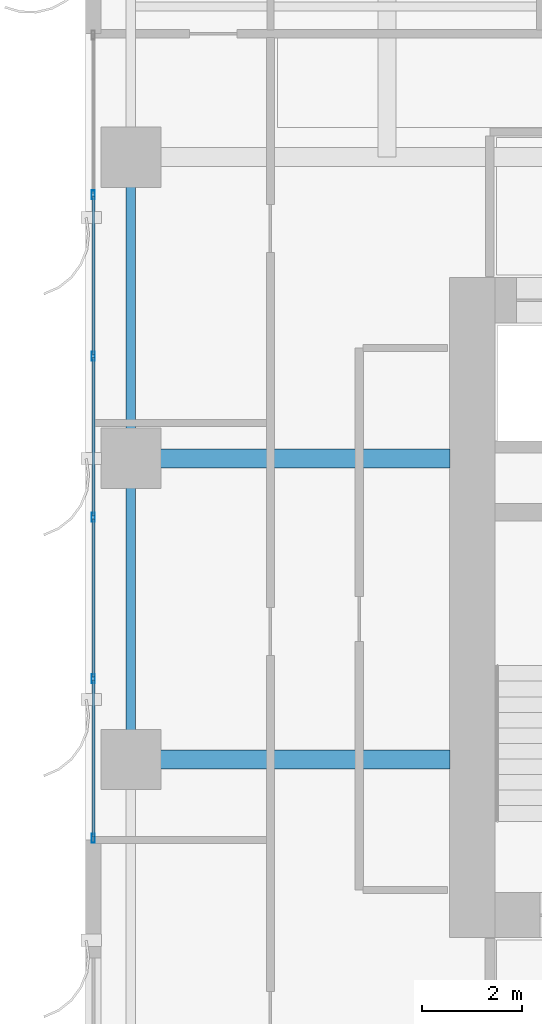
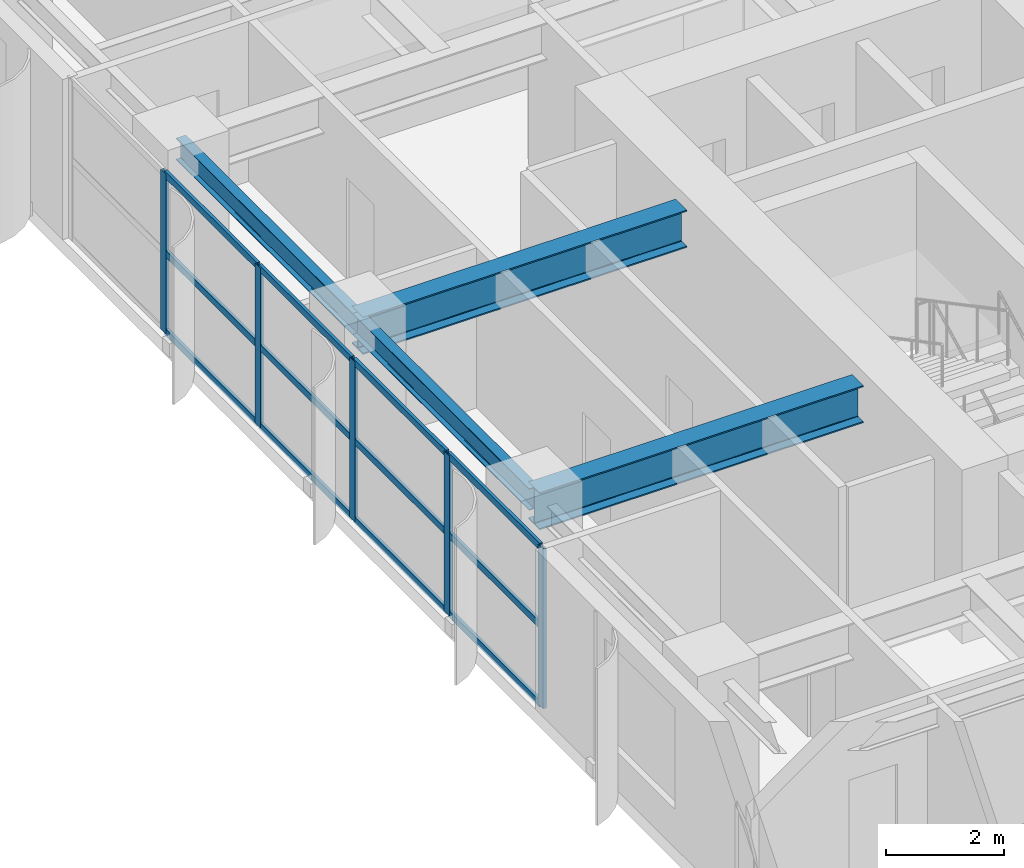
# One storey, part 2 of 18: 17 members, 4 beams, 1 element without a shape of its own.
"""IFC4 building model written with IfcOpenShell, lengths in metres."""

import ifcopenshell
import ifcopenshell.guid

model = None  # the IFC model being written
_history = None  # IfcOwnerHistory: only IFC2X3 demands one
_inside = {}  # id of a spatial element -> (the spatial element, [elements in it])
_under = {}  # id of a project, library or spatial element -> (it, [spatial elements below it])
_declared = {}  # id of a project -> (the project, [libraries it declares])
_typed = {}  # id of a type object -> (the type object, [elements of that type])
_made_of = {}  # id of a material, layer set ... -> (it, [elements and type objects made of it])


def new_model(schema):
    """Start an empty IFC model of exactly this schema.

    Asked for "IFC4X3", IfcOpenShell would pick the latest addendum, in which some entities
    have other attributes; the version numbers below select the first issue.
    IFC2X3 requires an IfcOwnerHistory on every rooted entity: one is made here for all.
    """
    global model, _history
    if schema == "IFC4X3":
        model = ifcopenshell.file(schema_version=(4, 3, 0, 0))
    else:
        model = ifcopenshell.file(schema=schema)
    _inside.clear()
    _under.clear()
    _declared.clear()
    _typed.clear()
    _made_of.clear()
    _history = None
    if model.schema == "IFC2X3":
        org = make("IfcOrganization", Name="unknown")
        user = make(
            "IfcPersonAndOrganization",
            ThePerson=make("IfcPerson", FamilyName="unknown"),
            TheOrganization=org,
        )
        app = make(
            "IfcApplication",
            ApplicationDeveloper=org,
            Version="unknown",
            ApplicationFullName="unknown",
            ApplicationIdentifier="unknown",
        )
        _history = make(
            "IfcOwnerHistory",
            OwningUser=user,
            OwningApplication=app,
            ChangeAction="ADDED",
            CreationDate=0,
        )
    return model


def make(cls, **values):
    """One entity of the class cls with the attributes given. An attribute that is None is left unset."""
    return model.create_entity(
        cls, **{name: value for name, value in values.items() if value is not None}
    )


def rooted(cls, **values):
    """An entity with a GlobalId (a new one), such as an element, a storey or a relation."""
    return make(cls, GlobalId=ifcopenshell.guid.new(), OwnerHistory=_history, **values)


def si_unit(unit_type, name, prefix=None):
    """IfcSIUnit, for example si_unit("LENGTHUNIT", "METRE", prefix="MILLI")."""
    return make("IfcSIUnit", UnitType=unit_type, Prefix=prefix, Name=name)


def assignment(units):
    """IfcUnitAssignment: the units of a project."""
    return None if units is None else make("IfcUnitAssignment", Units=units)


def point(xyz):
    """IfcCartesianPoint."""
    return None if xyz is None else make("IfcCartesianPoint", Coordinates=xyz)


def direction(xyz):
    """IfcDirection."""
    return None if xyz is None else make("IfcDirection", DirectionRatios=xyz)


def frame(location, z_axis=None, x_axis=None):
    """IfcAxis2Placement3D, a coordinate frame: its origin and axes. An axis left out is left unset."""
    return make(
        "IfcAxis2Placement3D",
        Location=point(location),
        Axis=direction(z_axis),
        RefDirection=direction(x_axis),
    )


def frame_2d(location, x_axis=None):
    """IfcAxis2Placement2D, a coordinate frame in the plane: its origin and x axis."""
    return make(
        "IfcAxis2Placement2D", Location=point(location), RefDirection=direction(x_axis)
    )


def origin():
    """The frame at (0, 0, 0) with its axes left unset."""
    return frame((0.0, 0.0, 0.0))


def origin_2d():
    """The frame at (0, 0) in the plane with its x axis left unset."""
    return frame_2d((0.0, 0.0))


def place(relative_to, where):
    """IfcLocalPlacement: puts the frame where relative to a parent placement (None: the world)."""
    return make(
        "IfcLocalPlacement", PlacementRelTo=relative_to, RelativePlacement=where
    )


def context(
    kind, dimensions, precision=None, world=None, true_north=None, identifier=None
):
    """IfcGeometricRepresentationContext, for example the 3D "Model" context."""
    return make(
        "IfcGeometricRepresentationContext",
        ContextIdentifier=identifier,
        ContextType=kind,
        CoordinateSpaceDimension=dimensions,
        Precision=precision,
        WorldCoordinateSystem=world,
        TrueNorth=true_north,
    )


def subcontext(parent, identifier, kind, view, scale=None):
    """IfcGeometricRepresentationSubContext, for example "Body" below "Model"."""
    return make(
        "IfcGeometricRepresentationSubContext",
        ContextIdentifier=identifier,
        ContextType=kind,
        ParentContext=parent,
        TargetScale=scale,
        TargetView=view,
    )


def project(units=None, contexts=None):
    """IfcProject with its units and contexts."""
    return rooted(
        "IfcProject",
        Name="project",
        RepresentationContexts=contexts,
        UnitsInContext=assignment(units),
    )


def spatial(cls, under=None, at=None, **own):
    """A site, building, storey or space (cls), placed at a placement, below another one or the project."""
    s = rooted(cls, ObjectPlacement=at, **own)
    if under is not None:
        _under.setdefault(under.id(), (under, []))[1].append(s)
    return s


def profile(cls, at=None, kind="AREA", **sizes):
    """A parametric profile (cls). Its sizes go by their IFC names, for example OverallWidth=200.0."""
    return make(cls, ProfileType=kind, Position=at, **sizes)


def hollow_rectangle(**sizes):
    """IfcRectangleHollowProfileDef."""
    return profile("IfcRectangleHollowProfileDef", **sizes)


def i_section(**sizes):
    """IfcIShapeProfileDef."""
    return profile("IfcIShapeProfileDef", **sizes)


def extrude(swept, where, along, depth):
    """IfcExtrudedAreaSolid: the profile swept, set in the frame where, extruded along a direction by depth."""
    return make(
        "IfcExtrudedAreaSolid",
        SweptArea=swept,
        Position=where,
        ExtrudedDirection=direction(along),
        Depth=depth,
    )


def shape(context_of_items, identifier, shape_type, items):
    """IfcShapeRepresentation: the items that make up one representation, for example the "Body"."""
    return make(
        "IfcShapeRepresentation",
        ContextOfItems=context_of_items,
        RepresentationIdentifier=identifier,
        RepresentationType=shape_type,
        Items=items,
    )


def source(mapping_origin, context_of_items, identifier, shape_type, items):
    """IfcRepresentationMap: a shape defined once, which mapped items show again and again."""
    return make(
        "IfcRepresentationMap",
        MappingOrigin=mapping_origin,
        MappedRepresentation=shape(context_of_items, identifier, shape_type, items),
    )


def transform(
    local_origin,
    x_axis=None,
    y_axis=None,
    z_axis=None,
    scale=None,
    scale2=None,
    scale3=None,
    uniform=True,
):
    """IfcCartesianTransformationOperator3D, or its non-uniform kind. x_axis, y_axis, z_axis: its Axis1, 2, 3."""
    if uniform:
        return make(
            "IfcCartesianTransformationOperator3D",
            Axis1=direction(x_axis),
            Axis2=direction(y_axis),
            LocalOrigin=point(local_origin),
            Scale=scale,
            Axis3=direction(z_axis),
        )
    return make(
        "IfcCartesianTransformationOperator3DnonUniform",
        Axis1=direction(x_axis),
        Axis2=direction(y_axis),
        LocalOrigin=point(local_origin),
        Scale=scale,
        Axis3=direction(z_axis),
        Scale2=scale2,
        Scale3=scale3,
    )


def mapped(mapping_source, mapping_target):
    """IfcMappedItem: shows the shape of a source again, moved by a transform."""
    return make(
        "IfcMappedItem", MappingSource=mapping_source, MappingTarget=mapping_target
    )


def material(Name=None, Category=None):
    """IfcMaterial."""
    return make("IfcMaterial", Name=Name, Category=Category)


def layer(
    of_material, thickness, ventilated=None, Name=None, Category=None, Priority=None
):
    """IfcMaterialLayer: one layer of a wall or slab, of a material (None: an air gap)."""
    return make(
        "IfcMaterialLayer",
        Material=of_material,
        LayerThickness=thickness,
        IsVentilated=ventilated,
        Name=Name,
        Category=Category,
        Priority=Priority,
    )


def layer_set(layers, Name=None):
    """IfcMaterialLayerSet."""
    return make("IfcMaterialLayerSet", MaterialLayers=layers, LayerSetName=Name)


def material_profile(
    of_material, cross_section, Name=None, Category=None, Priority=None
):
    """IfcMaterialProfile: a cross section and its material."""
    return make(
        "IfcMaterialProfile",
        Name=Name,
        Material=of_material,
        Profile=cross_section,
        Priority=Priority,
        Category=Category,
    )


def profile_set(profiles, Name=None, composite=None):
    """IfcMaterialProfileSet."""
    return make(
        "IfcMaterialProfileSet",
        Name=Name,
        MaterialProfiles=profiles,
        CompositeProfile=composite,
    )


def made_of(thing, what):
    """Note that an element or type object is made of a material, layer set ...; save() writes the relation."""
    if what is not None:
        _made_of.setdefault(what.id(), (what, []))[1].append(thing)
    return thing


def type_object(cls, material=None, **own):
    """A type object (cls), such as IfcWallType, which elements share."""
    return made_of(rooted(cls, **own), material)


def element(
    cls,
    number,
    at=None,
    inside=None,
    cuts=None,
    type_object=None,
    material=None,
    context=None,
    identifier="Body",
    shape_type=None,
    held_by="IfcProductDefinitionShape",
    body=None,
    shapes=None,
    **own,
):
    """One element of the class cls, such as IfcWall. Its Tag is "e" and its number.

    at: its placement. inside: the storey or other place that contains it. cuts: it is an
    opening in that element (IfcRelVoidsElement). A single representation is given by context,
    identifier, shape_type and body (its items); several are given by shapes. held_by: the class
    of the entity that holds the representations. save() writes the other relations.
    """
    e = rooted(cls, Tag="e%d" % number, ObjectPlacement=at, **own)
    if body is not None:
        shapes = [shape(context, identifier, shape_type, body)]
    if shapes is not None:
        e.Representation = make(held_by, Representations=shapes)
    if inside is not None:
        _inside.setdefault(inside.id(), (inside, []))[1].append(e)
    if cuts is not None:
        rooted(
            "IfcRelVoidsElement", RelatingBuildingElement=cuts, RelatedOpeningElement=e
        )
    if type_object is not None:
        _typed.setdefault(type_object.id(), (type_object, []))[1].append(e)
    return made_of(e, material)


def aggregate(whole, parts):
    """IfcRelAggregates: a whole, such as a stair, and the parts it consists of."""
    return rooted("IfcRelAggregates", RelatingObject=whole, RelatedObjects=parts)


def save(model, path):
    """Write the relations noted so far, then the file.

    IfcRelAggregates (storeys below a building ...), IfcRelContainedInSpatialStructure (elements
    in a storey), IfcRelDefinesByType, IfcRelAssociatesMaterial and IfcRelDeclares: one each for
    every whole, place, type object, material and project.
    """
    for whole, parts in _under.values():
        aggregate(whole, parts)
    for where, things in _inside.values():
        rooted(
            "IfcRelContainedInSpatialStructure",
            RelatedElements=things,
            RelatingStructure=where,
        )
    for kind, things in _typed.values():
        rooted("IfcRelDefinesByType", RelatedObjects=things, RelatingType=kind)
    for what, things in _made_of.values():
        rooted("IfcRelAssociatesMaterial", RelatedObjects=things, RelatingMaterial=what)
    for by, libraries in _declared.values():
        rooted("IfcRelDeclares", RelatingContext=by, RelatedDefinitions=libraries)
    model.write(path)


model = new_model("IFC4")

# Units and contexts
model_context = context("Model", 3, precision=1e-05, world=origin(), true_north=direction((0.0, 1.0)))
body_context = subcontext(model_context, "Body", "Model", "MODEL_VIEW")
ifc_project = project(units=[si_unit("LENGTHUNIT", "METRE"), si_unit("AREAUNIT", "SQUARE_METRE"), si_unit("VOLUMEUNIT", "CUBIC_METRE"), si_unit("PLANEANGLEUNIT", "RADIAN"), si_unit("MASSUNIT", "GRAM", prefix="KILO")], contexts=[model_context])

# Site, building, storey
site_placement = place(None, origin())
site = spatial("IfcSite", under=ifc_project, at=site_placement, CompositionType="ELEMENT")
building_placement = place(site_placement, origin())
building = spatial("IfcBuilding", under=site, at=building_placement, Name="Khoralis Quay Care Tower", CompositionType="ELEMENT")
storey_placement = place(building_placement, frame((0.0, 0.0, 47.699951171875)))
storey = spatial("IfcBuildingStorey", under=building, at=storey_placement, Name="L12", CompositionType="ELEMENT", Elevation=47.699951171875)

# Beams
ifc_material_1 = material(Name="Steel S355", Category="steel")
ifc_material_profile_1 = material_profile(ifc_material_1, i_section(OverallWidth=0.18994140625, OverallDepth=0.449951171875, WebThickness=0.009521484375, FlangeThickness=0.0146484375, FilletRadius=0.02099609375, at=origin_2d()), Name="Steel S355")
ifc_profile_set_1 = profile_set([ifc_material_profile_1], Name="Steel S355")
beam_type_1 = type_object("IfcBeamType", Name="BM-IPE450", PredefinedType="SPANDREL", material=ifc_profile_set_1)
shared_shape_1 = source(origin(), body_context, "Body", "SweptSolid", [
    extrude(i_section(OverallWidth=0.18994140625, OverallDepth=0.449951171875, WebThickness=0.009521484375, FlangeThickness=0.0146484375, FilletRadius=0.02099609375, at=origin_2d()), origin(), (0.0, 0.0, 1.0), 6.0),
])
for number, where, z_axis, x_axis, name in (
    (1, (0.89990234375, 18.0, 3.094970703125), (0.0, 1.0, 0.0), (-1.0, 0.0, 0.0), "BM-TSP-L12-15"),
    (2, (0.89990234375, 24.0, 3.094970703125), (0.0, 1.0, 0.0), (-1.0, 0.0, 0.0), "BM-TSP-L12-16"),
):
    element("IfcBeam", number, at=place(storey_placement, frame(where, z_axis=z_axis, x_axis=x_axis)), inside=storey, type_object=beam_type_1, Name=name, PredefinedType="SPANDREL", context=body_context, shape_type="MappedRepresentation", body=[
        mapped(shared_shape_1, transform((0.0, 0.0, 0.0), scale=1.0)),
    ])
ifc_material_profile_2 = material_profile(ifc_material_1, i_section(OverallWidth=0.381103515625, OverallDepth=0.77294921875, WebThickness=0.0166015625, FlangeThickness=0.027587890625, FilletRadius=0.02197265625, at=origin_2d()), Name="Steel S355")
ifc_profile_set_2 = profile_set([ifc_material_profile_2], Name="Steel S355")
beam_type_2 = type_object("IfcBeamType", Name="BM-W760X257", PredefinedType="BEAM", material=ifc_profile_set_2)
shared_shape_2 = source(origin(), body_context, "Body", "SweptSolid", [
    extrude(i_section(OverallWidth=0.381103515625, OverallDepth=0.77294921875, WebThickness=0.0166015625, FlangeThickness=0.027587890625, FilletRadius=0.02197265625, at=origin_2d()), origin(), (0.0, 0.0, 1.0), 6.35205078125),
])
for number, where, z_axis, x_axis, name in (
    (3, (0.89990234375, 18.0, 2.93359375), (1.0, 0.0, 0.0), (0.0, 1.0, 0.0), "BM-TGXW-L12-180"),
    (4, (0.89990234375, 24.0, 2.93359375), (1.0, 0.0, 0.0), (0.0, 1.0, 0.0), "BM-TGXW-L12-240"),
):
    element("IfcBeam", number, at=place(storey_placement, frame(where, z_axis=z_axis, x_axis=x_axis)), inside=storey, type_object=beam_type_2, Name=name, PredefinedType="BEAM", context=body_context, shape_type="MappedRepresentation", body=[
        mapped(shared_shape_2, transform((0.0, 0.0, 0.0), scale=1.0)),
    ])

# Curtain wall, members
ifc_material_2 = material(Name="Pale anodised aluminium", Category="aluminium")
ifc_layer = layer(ifc_material_2, 0.179931640625)
ifc_layer_set = layer_set([ifc_layer], Name="Pale anodised aluminium")
curtain_wall_type = type_object("IfcCurtainWallType", Name="CW-SYS-Z1", PredefinedType="NOTDEFINED", material=ifc_layer_set)
curtain_wall_placement = place(storey_placement, origin())
curtain_wall = element("IfcCurtainWall", 5, at=curtain_wall_placement, inside=storey, type_object=curtain_wall_type, Name="L12 Unitised Curtain Wall CW-L12-P1-E15", PredefinedType="NOTDEFINED")
ifc_material_profile_3 = material_profile(ifc_material_2, hollow_rectangle(XDim=0.06494140625, YDim=0.179931640625, WallThickness=0.00390625, at=origin_2d()), Name="Pale anodised aluminium")
ifc_profile_set_3 = profile_set([ifc_material_profile_3], Name="Pale anodised aluminium")
member_type_1 = type_object("IfcMemberType", Name="CW-MUL-180", PredefinedType="MULLION", material=ifc_profile_set_3)
shared_shape_3 = source(origin(), body_context, "Body", "SweptSolid", [
    extrude(hollow_rectangle(XDim=0.06494140625, YDim=0.179931640625, WallThickness=0.00390625, at=origin_2d()), origin(), (0.0, 0.0, 1.0), 3.320068359375),
])
member_1_placement = place(storey_placement, frame((0.14990234375, 29.248046875, 0.0), z_axis=(0.0, 0.0, 1.0), x_axis=(1.0, 0.0, 0.0)))
member_1 = element("IfcMember", 6, at=member_1_placement, type_object=member_type_1, Name="CW1 mullion 2", PredefinedType="MULLION", context=body_context, shape_type="MappedRepresentation", body=[
    mapped(shared_shape_3, transform((0.0, 0.0, 0.0), scale=1.0)),
])
member_2_placement = place(storey_placement, frame((0.14990234375, 26.035888671875, 0.0), z_axis=(0.0, 0.0, 1.0), x_axis=(1.0, 0.0, 0.0)))
member_2 = element("IfcMember", 7, at=member_2_placement, type_object=member_type_1, Name="CW1 mullion 3", PredefinedType="MULLION", context=body_context, shape_type="MappedRepresentation", body=[
    mapped(shared_shape_3, transform((0.0, 0.0, 0.0), scale=1.0)),
])
member_3_placement = place(storey_placement, frame((0.14990234375, 22.823974609375, 0.0), z_axis=(0.0, 0.0, 1.0), x_axis=(1.0, 0.0, 0.0)))
member_3 = element("IfcMember", 8, at=member_3_placement, type_object=member_type_1, Name="CW1 mullion 4", PredefinedType="MULLION", context=body_context, shape_type="MappedRepresentation", body=[
    mapped(shared_shape_3, transform((0.0, 0.0, 0.0), scale=1.0)),
])
member_4_placement = place(storey_placement, frame((0.14990234375, 19.612060546875, 0.0), z_axis=(0.0, 0.0, 1.0), x_axis=(1.0, 0.0, 0.0)))
member_4 = element("IfcMember", 9, at=member_4_placement, type_object=member_type_1, Name="CW1 mullion 5", PredefinedType="MULLION", context=body_context, shape_type="MappedRepresentation", body=[
    mapped(shared_shape_3, transform((0.0, 0.0, 0.0), scale=1.0)),
])
member_5_placement = place(storey_placement, frame((0.14990234375, 16.429931640625, 0.0), z_axis=(0.0, 0.0, 1.0), x_axis=(1.0, 0.0, 0.0)))
member_5 = element("IfcMember", 10, at=member_5_placement, type_object=member_type_1, Name="CW1 mullion 6", PredefinedType="MULLION", context=body_context, shape_type="MappedRepresentation", body=[
    mapped(shared_shape_3, transform((0.0, 0.0, 0.0), scale=1.0)),
])
ifc_material_profile_4 = material_profile(ifc_material_2, hollow_rectangle(XDim=0.06005859375, YDim=0.139892578125, WallThickness=0.00390625, at=origin_2d()), Name="Pale anodised aluminium")
ifc_profile_set_4 = profile_set([ifc_material_profile_4], Name="Pale anodised aluminium")
member_type_2 = type_object("IfcMemberType", Name="CW-TRN-140", PredefinedType="USERDEFINED", material=ifc_profile_set_4)
shared_shape_4 = source(origin(), body_context, "Body", "SweptSolid", [
    extrude(hollow_rectangle(XDim=0.06005859375, YDim=0.139892578125, WallThickness=0.00390625, at=origin_2d()), origin(), (0.0, 0.0, 1.0), 3.1220703125),
])
member_6_placement = place(storey_placement, frame((0.14990234375, 19.58203125, 0.030029296875), z_axis=(0.0, -1.0, 0.0), x_axis=(1.0, 0.0, 0.0)))
member_6 = element("IfcMember", 11, at=member_6_placement, type_object=member_type_2, Name="CW1 transom 5.1", ObjectType="TRANSOM", PredefinedType="USERDEFINED", context=body_context, shape_type="MappedRepresentation", body=[
    mapped(shared_shape_4, transform((0.0, 0.0, 0.0), scale=1.0)),
])
member_7_placement = place(storey_placement, frame((0.14990234375, 19.58203125, 1.66015625), z_axis=(0.0, -1.0, 0.0), x_axis=(1.0, 0.0, 0.0)))
member_7 = element("IfcMember", 12, at=member_7_placement, type_object=member_type_2, Name="CW1 transom 5.2", ObjectType="TRANSOM", PredefinedType="USERDEFINED", context=body_context, shape_type="MappedRepresentation", body=[
    mapped(shared_shape_4, transform((0.0, 0.0, 0.0), scale=1.0)),
])
member_8_placement = place(storey_placement, frame((0.14990234375, 19.58203125, 3.2900390625), z_axis=(0.0, -1.0, 0.0), x_axis=(1.0, 0.0, 0.0)))
member_8 = element("IfcMember", 13, at=member_8_placement, type_object=member_type_2, Name="CW1 transom 5.3", ObjectType="TRANSOM", PredefinedType="USERDEFINED", context=body_context, shape_type="MappedRepresentation", body=[
    mapped(shared_shape_4, transform((0.0, 0.0, 0.0), scale=1.0)),
])
shared_shape_5 = source(origin(), body_context, "Body", "SweptSolid", [
    extrude(hollow_rectangle(XDim=0.06005859375, YDim=0.139892578125, WallThickness=0.00390625, at=origin_2d()), origin(), (0.0, 0.0, 1.0), 3.15185546875),
])
member_9_placement = place(storey_placement, frame((0.14990234375, 22.7939453125, 0.030029296875), z_axis=(0.0, -1.0, 0.0), x_axis=(1.0, 0.0, 0.0)))
member_9 = element("IfcMember", 14, at=member_9_placement, type_object=member_type_2, Name="CW1 transom 4.1", ObjectType="TRANSOM", PredefinedType="USERDEFINED", context=body_context, shape_type="MappedRepresentation", body=[
    mapped(shared_shape_5, transform((0.0, 0.0, 0.0), scale=1.0)),
])
member_10_placement = place(storey_placement, frame((0.14990234375, 22.7939453125, 1.66015625), z_axis=(0.0, -1.0, 0.0), x_axis=(1.0, 0.0, 0.0)))
member_10 = element("IfcMember", 15, at=member_10_placement, type_object=member_type_2, Name="CW1 transom 4.2", ObjectType="TRANSOM", PredefinedType="USERDEFINED", context=body_context, shape_type="MappedRepresentation", body=[
    mapped(shared_shape_5, transform((0.0, 0.0, 0.0), scale=1.0)),
])
member_11_placement = place(storey_placement, frame((0.14990234375, 22.7939453125, 3.2900390625), z_axis=(0.0, -1.0, 0.0), x_axis=(1.0, 0.0, 0.0)))
member_11 = element("IfcMember", 16, at=member_11_placement, type_object=member_type_2, Name="CW1 transom 4.3", ObjectType="TRANSOM", PredefinedType="USERDEFINED", context=body_context, shape_type="MappedRepresentation", body=[
    mapped(shared_shape_5, transform((0.0, 0.0, 0.0), scale=1.0)),
])
shared_shape_6 = source(origin(), body_context, "Body", "SweptSolid", [
    extrude(hollow_rectangle(XDim=0.06005859375, YDim=0.139892578125, WallThickness=0.00390625, at=origin_2d()), origin(), (0.0, 0.0, 1.0), 3.152099609375),
])
member_12_placement = place(storey_placement, frame((0.14990234375, 29.218017578125, 0.030029296875), z_axis=(0.0, -1.0, 0.0), x_axis=(1.0, 0.0, 0.0)))
member_12 = element("IfcMember", 17, at=member_12_placement, type_object=member_type_2, Name="CW1 transom 2.1", ObjectType="TRANSOM", PredefinedType="USERDEFINED", context=body_context, shape_type="MappedRepresentation", body=[
    mapped(shared_shape_6, transform((0.0, 0.0, 0.0), scale=1.0)),
])
member_13_placement = place(storey_placement, frame((0.14990234375, 29.218017578125, 1.66015625), z_axis=(0.0, -1.0, 0.0), x_axis=(1.0, 0.0, 0.0)))
member_13 = element("IfcMember", 18, at=member_13_placement, type_object=member_type_2, Name="CW1 transom 2.2", ObjectType="TRANSOM", PredefinedType="USERDEFINED", context=body_context, shape_type="MappedRepresentation", body=[
    mapped(shared_shape_6, transform((0.0, 0.0, 0.0), scale=1.0)),
])
member_14_placement = place(storey_placement, frame((0.14990234375, 29.218017578125, 3.2900390625), z_axis=(0.0, -1.0, 0.0), x_axis=(1.0, 0.0, 0.0)))
member_14 = element("IfcMember", 19, at=member_14_placement, type_object=member_type_2, Name="CW1 transom 2.3", ObjectType="TRANSOM", PredefinedType="USERDEFINED", context=body_context, shape_type="MappedRepresentation", body=[
    mapped(shared_shape_6, transform((0.0, 0.0, 0.0), scale=1.0)),
])
member_15_placement = place(storey_placement, frame((0.14990234375, 26.006103515625, 0.030029296875), z_axis=(0.0, -1.0, 0.0), x_axis=(1.0, 0.0, 0.0)))
member_15 = element("IfcMember", 20, at=member_15_placement, type_object=member_type_2, Name="CW1 transom 3.1", ObjectType="TRANSOM", PredefinedType="USERDEFINED", context=body_context, shape_type="MappedRepresentation", body=[
    mapped(shared_shape_6, transform((0.0, 0.0, 0.0), scale=1.0)),
])
member_16_placement = place(storey_placement, frame((0.14990234375, 26.006103515625, 1.66015625), z_axis=(0.0, -1.0, 0.0), x_axis=(1.0, 0.0, 0.0)))
member_16 = element("IfcMember", 21, at=member_16_placement, type_object=member_type_2, Name="CW1 transom 3.2", ObjectType="TRANSOM", PredefinedType="USERDEFINED", context=body_context, shape_type="MappedRepresentation", body=[
    mapped(shared_shape_6, transform((0.0, 0.0, 0.0), scale=1.0)),
])
member_17_placement = place(storey_placement, frame((0.14990234375, 26.006103515625, 3.2900390625), z_axis=(0.0, -1.0, 0.0), x_axis=(1.0, 0.0, 0.0)))
member_17 = element("IfcMember", 22, at=member_17_placement, type_object=member_type_2, Name="CW1 transom 3.3", ObjectType="TRANSOM", PredefinedType="USERDEFINED", context=body_context, shape_type="MappedRepresentation", body=[
    mapped(shared_shape_6, transform((0.0, 0.0, 0.0), scale=1.0)),
])
aggregate(curtain_wall, [member_1, member_2, member_3, member_4, member_5, member_12, member_13, member_14, member_15, member_16, member_17, member_9, member_10, member_11, member_6, member_7, member_8])

save(model, "model.ifc")
